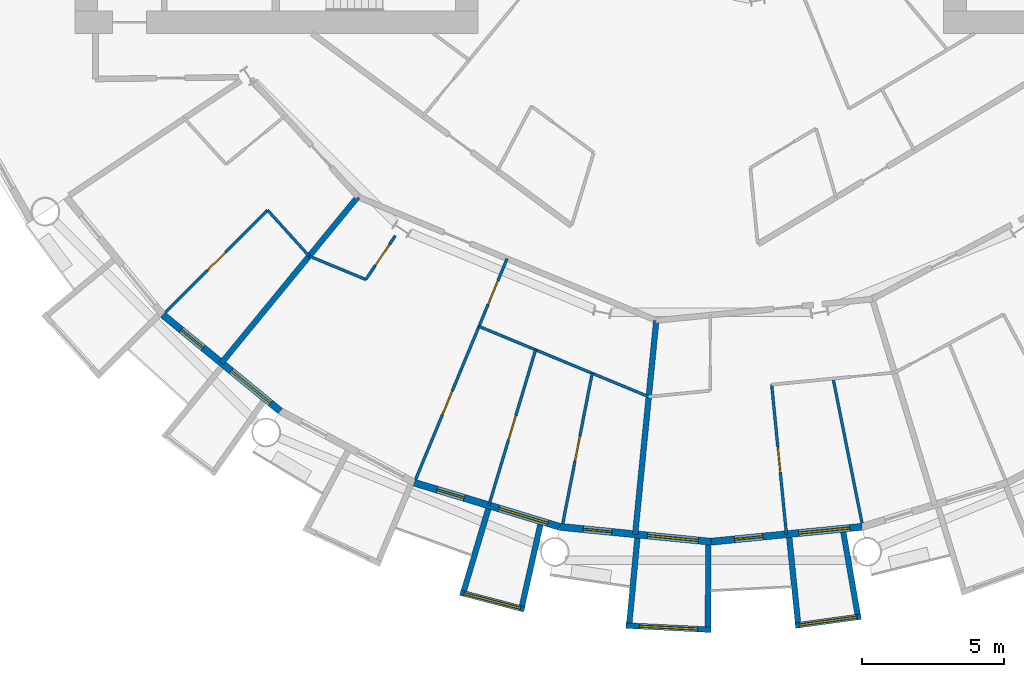
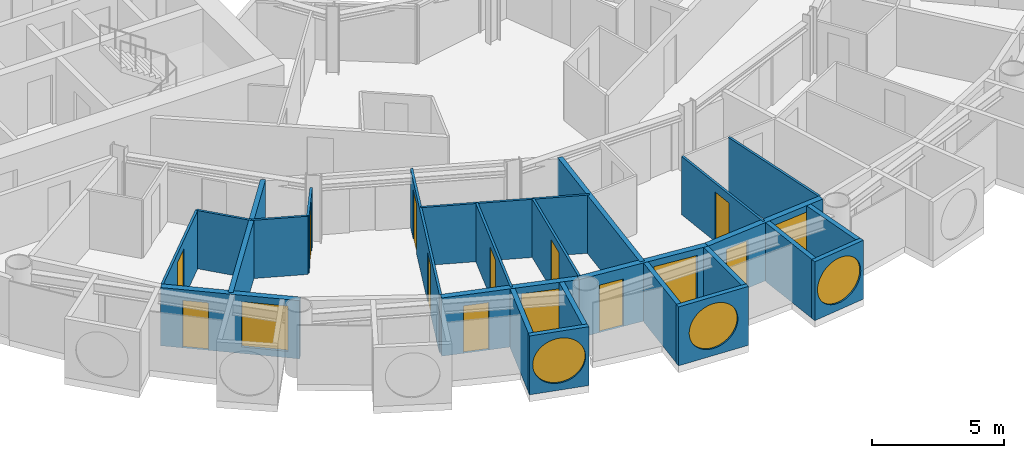
# One storey, part 13 of 26: 25 walls, 11 doors, 7 windows, 18 openings.
"""IFC4 building model written with IfcOpenShell, lengths in metres."""

from ifc_helpers import new_model, si_unit, direction, frame, frame_2d, origin, place, context, subcontext, project, spatial, rectangle, circle, extrude, material, layer, layer_set, type_object, element, fill, save


model = new_model("IFC4")

# Units and contexts
model_context = context("Model", 3, precision=1e-05, world=origin(), true_north=direction((0.0, 1.0)))
body_context = subcontext(model_context, "Body", "Model", "MODEL_VIEW")
ifc_project = project(units=[si_unit("LENGTHUNIT", "METRE"), si_unit("AREAUNIT", "SQUARE_METRE"), si_unit("VOLUMEUNIT", "CUBIC_METRE"), si_unit("PLANEANGLEUNIT", "RADIAN"), si_unit("MASSUNIT", "GRAM", prefix="KILO")], contexts=[model_context])

# Site, building, storey
site_placement = place(None, origin())
site = spatial("IfcSite", under=ifc_project, at=site_placement, CompositionType="ELEMENT")
building_placement = place(site_placement, origin())
building = spatial("IfcBuilding", under=site, at=building_placement, Name="Maasbend Ring Residences", CompositionType="ELEMENT")
storey_placement = place(building_placement, frame((0.0, 0.0, 50.25)))
storey = spatial("IfcBuildingStorey", under=building, at=storey_placement, Name="L14", CompositionType="ELEMENT", Elevation=50.25)

# Wall, opening, window
ifc_material_1 = material(Name="Pale anodised aluminium panel", Category="aluminium")
ifc_layer_1 = layer(ifc_material_1, 0.199951171875)
ifc_layer_set_1 = layer_set([ifc_layer_1], Name="EW-BOX")
wall_type_1 = type_object("IfcWallType", Name="EW-BOX", PredefinedType="SOLIDWALL", material=ifc_layer_set_1)
wall_1_placement = place(storey_placement, frame((-8.827880859375, -29.090087890625, -0.030029296875), z_axis=(0.0, 0.0, 1.0), x_axis=(0.967377102346, -0.253340762326, 0.0)))
wall_1 = element("IfcWall", 1, at=wall_1_placement, inside=storey, type_object=wall_type_1, Name="Box front S08", PredefinedType="SOLIDWALL", context=body_context, shape_type="SweptSolid", body=[
    extrude(rectangle(XDim=2.3359375, YDim=0.199951171875, at=frame_2d((1.16796875, 0.0))), origin(), (0.0, 0.0, 1.0), 2.72998046875),
])
opening_1_placement = place(wall_1_placement, frame((0.128173828125, 0.0, 0.330078125)))
opening_1 = element("IfcOpeningElement", 2, at=opening_1_placement, cuts=wall_1, Name="Opening W-RD", PredefinedType="OPENING", context=body_context, shape_type="SweptSolid", body=[
    extrude(circle(Radius=1.0400390625, at=frame_2d((1.0400390625, 1.0400390625))), frame((0.0, 0.10986328125, 0.0), z_axis=(0.0, -1.0, 0.0), x_axis=(1.0, 0.0, 0.0)), (0.0, 0.0, 1.0), 0.219970703125),
])
ifc_material_2 = material(Name="Aluminium and clear glass", Category="aluminium")
window_type_1 = type_object("IfcWindowType", Name="W-RD", PartitioningType="SINGLE_PANEL", PredefinedType="WINDOW", material=ifc_material_2)
window_1_placement = place(opening_1_placement, origin())
window_1 = element("IfcWindow", 3, at=window_1_placement, inside=storey, type_object=window_type_1, Name="Round window S08", OverallHeight=2.080078125, OverallWidth=2.080078125, PartitioningType="SINGLE_PANEL", PredefinedType="WINDOW", context=body_context, shape_type="SweptSolid", body=[
    extrude(circle(Radius=1.0400390625, at=frame_2d((1.0400390625, 1.0400390625))), frame((0.0, 0.030029296875, 0.0), z_axis=(0.0, -1.0, 0.0), x_axis=(1.0, 0.0, 0.0)), (0.0, 0.0, 1.0), 0.06005859375),
])
fill(opening_1, window_1)

# Walls
wall_2_placement = place(storey_placement, frame((-7.8369140625, -26.14404296875, -0.030029296875), z_axis=(0.0, 0.0, 1.0), x_axis=(-0.287064767992, -0.957911174889, 0.0)))
element("IfcWall", 4, at=wall_2_placement, inside=storey, type_object=wall_type_1, Name="Box side wall S08 left", PredefinedType="SOLIDWALL", context=body_context, shape_type="SweptSolid", body=[
    extrude(rectangle(XDim=3.00634765625, YDim=0.199951171875, at=frame_2d((1.503173828125, 0.0))), origin(), (0.0, 0.0, 1.0), 2.72998046875),
])
wall_3_placement = place(storey_placement, frame((-6.00390625, -26.699951171875, -0.030029296875), z_axis=(0.0, 0.0, 1.0), x_axis=(-0.219609259383, -0.975587911566, 0.0)))
element("IfcWall", 5, at=wall_3_placement, inside=storey, type_object=wall_type_1, Name="Box side wall S08 right", PredefinedType="SOLIDWALL", context=body_context, shape_type="SweptSolid", body=[
    extrude(rectangle(XDim=2.9326171875, YDim=0.199951171875, at=frame_2d((1.46630859375, 0.0))), origin(), (0.0, 0.0, 1.0), 2.72998046875),
])

# Wall, opening, window
wall_4_placement = place(storey_placement, frame((-2.985107421875, -30.2529296875, -0.030029296875), z_axis=(0.0, 0.0, 1.0), x_axis=(0.998794083011, -0.049095618353, 0.0)))
wall_4 = element("IfcWall", 6, at=wall_4_placement, inside=storey, type_object=wall_type_1, Name="Box front S10", PredefinedType="SOLIDWALL", context=body_context, shape_type="SweptSolid", body=[
    extrude(rectangle(XDim=2.99365234375, YDim=0.199951171875, at=frame_2d((1.496826171875, 0.0))), origin(), (0.0, 0.0, 1.0), 2.72998046875),
])
opening_2_placement = place(wall_4_placement, frame((0.45654296875, 0.0, 0.330078125)))
opening_2 = element("IfcOpeningElement", 7, at=opening_2_placement, cuts=wall_4, Name="Opening W-RD", PredefinedType="OPENING", context=body_context, shape_type="SweptSolid", body=[
    extrude(circle(Radius=1.0400390625, at=frame_2d((1.0400390625, 1.0400390625))), frame((0.0, 0.10986328125, 0.0), z_axis=(0.0, -1.0, 0.0), x_axis=(1.0, 0.0, 0.0)), (0.0, 0.0, 1.0), 0.219970703125),
])
window_2_placement = place(opening_2_placement, origin())
window_2 = element("IfcWindow", 8, at=window_2_placement, inside=storey, type_object=window_type_1, Name="Round window S10", OverallHeight=2.080078125, OverallWidth=2.080078125, PartitioningType="SINGLE_PANEL", PredefinedType="WINDOW", context=body_context, shape_type="SweptSolid", body=[
    extrude(circle(Radius=1.0400390625, at=frame_2d((1.0400390625, 1.0400390625))), frame((0.0, 0.030029296875, 0.0), z_axis=(0.0, -1.0, 0.0), x_axis=(1.0, 0.0, 0.0)), (0.0, 0.0, 1.0), 0.06005859375),
])
fill(opening_2, window_2)

# Walls
wall_5_placement = place(storey_placement, frame((-2.5859375, -27.1708984375, -0.030029296875), z_axis=(0.0, 0.0, 1.0), x_axis=(-0.094548432284, -0.995520262954, 0.0)))
element("IfcWall", 9, at=wall_5_placement, inside=storey, type_object=wall_type_1, Name="Box side wall S10 left", PredefinedType="SOLIDWALL", context=body_context, shape_type="SweptSolid", body=[
    extrude(rectangle(XDim=3.005615234375, YDim=0.199951171875, at=frame_2d((1.5029296875, 0.0))), origin(), (0.0, 0.0, 1.0), 2.72998046875),
])
wall_6_placement = place(storey_placement, frame((-0.090087890625, -27.4169921875, -0.030029296875), z_axis=(0.0, 0.0, 1.0), x_axis=(-0.00347308367, -0.999993968827, 0.0)))
element("IfcWall", 10, at=wall_6_placement, inside=storey, type_object=wall_type_1, Name="Box side wall S10 right", PredefinedType="SOLIDWALL", context=body_context, shape_type="SweptSolid", body=[
    extrude(rectangle(XDim=2.882080078125, YDim=0.199951171875, at=frame_2d((1.44091796875, 0.0))), origin(), (0.0, 0.0, 1.0), 2.72998046875),
])

# Wall, opening, window
wall_7_placement = place(storey_placement, frame((2.97607421875, -30.25390625, -0.030029296875), z_axis=(0.0, 0.0, 1.0), x_axis=(0.990696111261, 0.136092671119, 0.0)))
wall_7 = element("IfcWall", 11, at=wall_7_placement, inside=storey, type_object=wall_type_1, Name="Box front S12", PredefinedType="SOLIDWALL", context=body_context, shape_type="SweptSolid", body=[
    extrude(rectangle(XDim=2.335693359375, YDim=0.199951171875, at=frame_2d((1.16796875, 0.0))), origin(), (0.0, 0.0, 1.0), 2.72998046875),
])
opening_3_placement = place(wall_7_placement, frame((0.128173828125, 0.0, 0.330078125)))
opening_3 = element("IfcOpeningElement", 12, at=opening_3_placement, cuts=wall_7, Name="Opening W-RD", PredefinedType="OPENING", context=body_context, shape_type="SweptSolid", body=[
    extrude(circle(Radius=1.0400390625, at=frame_2d((1.0400390625, 1.0400390625))), frame((0.0, 0.10986328125, 0.0), z_axis=(0.0, -1.0, 0.0), x_axis=(1.0, 0.0, 0.0)), (0.0, 0.0, 1.0), 0.219970703125),
])
window_3_placement = place(opening_3_placement, origin())
window_3 = element("IfcWindow", 13, at=window_3_placement, inside=storey, type_object=window_type_1, Name="Round window S12", OverallHeight=2.080078125, OverallWidth=2.080078125, PartitioningType="SINGLE_PANEL", PredefinedType="WINDOW", context=body_context, shape_type="SweptSolid", body=[
    extrude(circle(Radius=1.0400390625, at=frame_2d((1.0400390625, 1.0400390625))), frame((0.0, 0.030029296875, 0.0), z_axis=(0.0, -1.0, 0.0), x_axis=(1.0, 0.0, 0.0)), (0.0, 0.0, 1.0), 0.06005859375),
])
fill(opening_3, window_3)

# Walls
wall_8_placement = place(storey_placement, frame((2.763916015625, -27.153076171875, -0.030029296875), z_axis=(0.0, 0.0, 1.0), x_axis=(0.101505487237, -0.994834979311, 0.0)))
element("IfcWall", 14, at=wall_8_placement, inside=storey, type_object=wall_type_1, Name="Box side wall S12 left", PredefinedType="SOLIDWALL", context=body_context, shape_type="SweptSolid", body=[
    extrude(rectangle(XDim=3.006591796875, YDim=0.199951171875, at=frame_2d((1.50341796875, 0.0))), origin(), (0.0, 0.0, 1.0), 2.72998046875),
])
wall_9_placement = place(storey_placement, frame((4.6708984375, -26.966064453125, -0.030029296875), z_axis=(0.0, 0.0, 1.0), x_axis=(0.170539878907, -0.985350774954, 0.0)))
element("IfcWall", 15, at=wall_9_placement, inside=storey, type_object=wall_type_1, Name="Box side wall S12 right", PredefinedType="SOLIDWALL", context=body_context, shape_type="SweptSolid", body=[
    extrude(rectangle(XDim=2.931884765625, YDim=0.199951171875, at=frame_2d((1.4658203125, 0.0))), origin(), (0.0, 0.0, 1.0), 2.72998046875),
])

# Wall, openings, door, window
ifc_material_3 = material(Name="Aluminium clad insulated panel", Category="aluminium")
ifc_layer_2 = layer(ifc_material_3, 0.25)
ifc_layer_set_2 = layer_set([ifc_layer_2], Name="EW-GL")
wall_type_2 = type_object("IfcWallType", Name="EW-GL", PredefinedType="SOLIDWALL", material=ifc_layer_set_2)
wall_10_placement = place(storey_placement, frame((-19.303955078125, -19.303955078125, 0.0), z_axis=(0.0, 0.0, 1.0), x_axis=(0.773019449054, -0.634382322723, 0.0)))
wall_10 = element("IfcWall", 16, at=wall_10_placement, inside=storey, type_object=wall_type_2, Name="External wall S02", PredefinedType="SOLIDWALL", context=body_context, shape_type="SweptSolid", body=[
    extrude(rectangle(XDim=5.351806640625, YDim=0.25, at=frame_2d((2.67578125, 0.0))), origin(), (0.0, 0.0, 1.0), 2.699951171875),
])
opening_4_placement = place(wall_10_placement, frame((0.841064453125, 0.0, 0.0)))
opening_4 = element("IfcOpeningElement", 17, at=opening_4_placement, cuts=wall_10, Name="Opening D-LG", PredefinedType="OPENING", context=body_context, shape_type="SweptSolid", body=[
    extrude(rectangle(XDim=1.0, YDim=2.199951171875, at=frame_2d((0.5, 1.10009765625))), frame((0.0, 0.135009765625, 0.0), z_axis=(0.0, -1.0, 0.0), x_axis=(1.0, 0.0, 0.0)), (0.0, 0.0, 1.0), 0.27001953125),
])
opening_5_placement = place(wall_10_placement, frame((3.110595703125, 0.0, 0.300048828125)))
opening_5 = element("IfcOpeningElement", 18, at=opening_5_placement, cuts=wall_10, Name="Opening W-BX", PredefinedType="OPENING", context=body_context, shape_type="SweptSolid", body=[
    extrude(rectangle(XDim=1.800048828125, YDim=2.10009765625, at=frame_2d((0.89990234375, 1.050048828125))), frame((0.0, 0.135009765625, 0.0), z_axis=(0.0, -1.0, 0.0), x_axis=(1.0, 0.0, 0.0)), (0.0, 0.0, 1.0), 0.27001953125),
])
ifc_material_4 = material(Name="Aluminium and clear glass", Category="aluminium")
door_type_1 = type_object("IfcDoorType", Name="D-LG", OperationType="SINGLE_SWING_LEFT", PredefinedType="DOOR", material=ifc_material_4)
door_1_placement = place(opening_4_placement, origin())
door_1 = element("IfcDoor", 19, at=door_1_placement, inside=storey, type_object=door_type_1, Name="Loggia door S03", OperationType="SINGLE_SWING_LEFT", OverallHeight=2.199951171875, OverallWidth=1.0, PredefinedType="DOOR", context=body_context, shape_type="SweptSolid", body=[
    extrude(rectangle(XDim=1.0, YDim=2.199951171875, at=frame_2d((0.5, 1.10009765625))), frame((0.0, 0.02490234375, 0.0), z_axis=(0.0, -1.0, 0.0), x_axis=(1.0, 0.0, 0.0)), (0.0, 0.0, 1.0), 0.050048828125),
])
fill(opening_4, door_1)
ifc_material_5 = material(Name="Aluminium and clear glass", Category="aluminium")
window_type_2 = type_object("IfcWindowType", Name="W-BX", PartitioningType="DOUBLE_PANEL_VERTICAL", PredefinedType="WINDOW", material=ifc_material_5)
window_4_placement = place(opening_5_placement, origin())
window_4 = element("IfcWindow", 20, at=window_4_placement, inside=storey, type_object=window_type_2, Name="Window S04 room to box", OverallHeight=2.10009765625, OverallWidth=1.800048828125, PartitioningType="SINGLE_PANEL", PredefinedType="WINDOW", context=body_context, shape_type="SweptSolid", body=[
    extrude(rectangle(XDim=1.800048828125, YDim=2.10009765625, at=frame_2d((0.89990234375, 1.050048828125))), frame((0.0, 0.030029296875, 0.0), z_axis=(0.0, -1.0, 0.0), x_axis=(1.0, 0.0, 0.0)), (0.0, 0.0, 1.0), 0.06005859375),
])
fill(opening_5, window_4)

wall_11_placement = place(storey_placement, frame((-10.447021484375, -25.221923828125, 0.0), z_axis=(0.0, 0.0, 1.0), x_axis=(0.956965678721, -0.290201119486, 0.0)))
wall_11 = element("IfcWall", 21, at=wall_11_placement, inside=storey, type_object=wall_type_2, Name="External wall S04", PredefinedType="SOLIDWALL", context=body_context, shape_type="SweptSolid", body=[
    extrude(rectangle(XDim=5.351318359375, YDim=0.25, at=frame_2d((2.67578125, 0.0))), origin(), (0.0, 0.0, 1.0), 2.699951171875),
])
opening_6_placement = place(wall_11_placement, frame((0.841064453125, 0.0, 0.0)))
opening_6 = element("IfcOpeningElement", 22, at=opening_6_placement, cuts=wall_11, Name="Opening D-LG", PredefinedType="OPENING", context=body_context, shape_type="SweptSolid", body=[
    extrude(rectangle(XDim=1.0, YDim=2.199951171875, at=frame_2d((0.5, 1.10009765625))), frame((0.0, 0.135009765625, 0.0), z_axis=(0.0, -1.0, 0.0), x_axis=(1.0, 0.0, 0.0)), (0.0, 0.0, 1.0), 0.27001953125),
])
opening_7_placement = place(wall_11_placement, frame((3.110595703125, 0.0, 0.300048828125)))
opening_7 = element("IfcOpeningElement", 23, at=opening_7_placement, cuts=wall_11, Name="Opening W-BX", PredefinedType="OPENING", context=body_context, shape_type="SweptSolid", body=[
    extrude(rectangle(XDim=1.800048828125, YDim=2.10009765625, at=frame_2d((0.89990234375, 1.050048828125))), frame((0.0, 0.135009765625, 0.0), z_axis=(0.0, -1.0, 0.0), x_axis=(1.0, 0.0, 0.0)), (0.0, 0.0, 1.0), 0.27001953125),
])
door_2_placement = place(opening_6_placement, origin())
door_2 = element("IfcDoor", 24, at=door_2_placement, inside=storey, type_object=door_type_1, Name="Loggia door S07", OperationType="SINGLE_SWING_LEFT", OverallHeight=2.199951171875, OverallWidth=1.0, PredefinedType="DOOR", context=body_context, shape_type="SweptSolid", body=[
    extrude(rectangle(XDim=1.0, YDim=2.199951171875, at=frame_2d((0.5, 1.10009765625))), frame((0.0, 0.02490234375, 0.0), z_axis=(0.0, -1.0, 0.0), x_axis=(1.0, 0.0, 0.0)), (0.0, 0.0, 1.0), 0.050048828125),
])
fill(opening_6, door_2)
window_5_placement = place(opening_7_placement, origin())
window_5 = element("IfcWindow", 25, at=window_5_placement, inside=storey, type_object=window_type_2, Name="Window S08 room to box", OverallHeight=2.10009765625, OverallWidth=1.800048828125, PartitioningType="SINGLE_PANEL", PredefinedType="WINDOW", context=body_context, shape_type="SweptSolid", body=[
    extrude(rectangle(XDim=1.800048828125, YDim=2.10009765625, at=frame_2d((0.89990234375, 1.050048828125))), frame((0.0, 0.030029296875, 0.0), z_axis=(0.0, -1.0, 0.0), x_axis=(1.0, 0.0, 0.0)), (0.0, 0.0, 1.0), 0.06005859375),
])
fill(opening_7, window_5)

wall_12_placement = place(storey_placement, frame((-5.325927734375, -26.77490234375, 0.0), z_axis=(0.0, 0.0, 1.0), x_axis=(0.995173996315, -0.098126026407, 0.0)))
wall_12 = element("IfcWall", 26, at=wall_12_placement, inside=storey, type_object=wall_type_2, Name="External wall S05", PredefinedType="SOLIDWALL", context=body_context, shape_type="SweptSolid", body=[
    extrude(rectangle(XDim=5.351806640625, YDim=0.25, at=frame_2d((2.67578125, 0.0))), origin(), (0.0, 0.0, 1.0), 2.699951171875),
])
opening_8_placement = place(wall_12_placement, frame((0.841064453125, 0.0, 0.0)))
opening_8 = element("IfcOpeningElement", 27, at=opening_8_placement, cuts=wall_12, Name="Opening D-LG", PredefinedType="OPENING", context=body_context, shape_type="SweptSolid", body=[
    extrude(rectangle(XDim=1.0, YDim=2.199951171875, at=frame_2d((0.5, 1.10009765625))), frame((0.0, 0.135009765625, 0.0), z_axis=(0.0, -1.0, 0.0), x_axis=(1.0, 0.0, 0.0)), (0.0, 0.0, 1.0), 0.27001953125),
])
opening_9_placement = place(wall_12_placement, frame((3.110595703125, 0.0, 0.300048828125)))
opening_9 = element("IfcOpeningElement", 28, at=opening_9_placement, cuts=wall_12, Name="Opening W-BX", PredefinedType="OPENING", context=body_context, shape_type="SweptSolid", body=[
    extrude(rectangle(XDim=1.800048828125, YDim=2.10009765625, at=frame_2d((0.89990234375, 1.050048828125))), frame((0.0, 0.135009765625, 0.0), z_axis=(0.0, -1.0, 0.0), x_axis=(1.0, 0.0, 0.0)), (0.0, 0.0, 1.0), 0.27001953125),
])
door_3_placement = place(opening_8_placement, origin())
door_3 = element("IfcDoor", 29, at=door_3_placement, inside=storey, type_object=door_type_1, Name="Loggia door S09", OperationType="SINGLE_SWING_LEFT", OverallHeight=2.199951171875, OverallWidth=1.0, PredefinedType="DOOR", context=body_context, shape_type="SweptSolid", body=[
    extrude(rectangle(XDim=1.0, YDim=2.199951171875, at=frame_2d((0.5, 1.10009765625))), frame((0.0, 0.02490234375, 0.0), z_axis=(0.0, -1.0, 0.0), x_axis=(1.0, 0.0, 0.0)), (0.0, 0.0, 1.0), 0.050048828125),
])
fill(opening_8, door_3)
window_6_placement = place(opening_9_placement, origin())
window_6 = element("IfcWindow", 30, at=window_6_placement, inside=storey, type_object=window_type_2, Name="Window S10 room to box", OverallHeight=2.10009765625, OverallWidth=1.800048828125, PartitioningType="SINGLE_PANEL", PredefinedType="WINDOW", context=body_context, shape_type="SweptSolid", body=[
    extrude(rectangle(XDim=1.800048828125, YDim=2.10009765625, at=frame_2d((0.89990234375, 1.050048828125))), frame((0.0, 0.030029296875, 0.0), z_axis=(0.0, -1.0, 0.0), x_axis=(1.0, 0.0, 0.0)), (0.0, 0.0, 1.0), 0.06005859375),
])
fill(opening_9, window_6)

wall_13_placement = place(storey_placement, frame((0.0, -27.300048828125, 0.0), z_axis=(0.0, 0.0, 1.0), x_axis=(0.995173996315, 0.098126026407, 0.0)))
wall_13 = element("IfcWall", 31, at=wall_13_placement, inside=storey, type_object=wall_type_2, Name="External wall S06", PredefinedType="SOLIDWALL", context=body_context, shape_type="SweptSolid", body=[
    extrude(rectangle(XDim=5.351806640625, YDim=0.25, at=frame_2d((2.67578125, 0.0))), origin(), (0.0, 0.0, 1.0), 2.699951171875),
])
opening_10_placement = place(wall_13_placement, frame((0.841064453125, 0.0, 0.0)))
opening_10 = element("IfcOpeningElement", 32, at=opening_10_placement, cuts=wall_13, Name="Opening D-LG", PredefinedType="OPENING", context=body_context, shape_type="SweptSolid", body=[
    extrude(rectangle(XDim=1.0, YDim=2.199951171875, at=frame_2d((0.5, 1.10009765625))), frame((0.0, 0.135009765625, 0.0), z_axis=(0.0, -1.0, 0.0), x_axis=(1.0, 0.0, 0.0)), (0.0, 0.0, 1.0), 0.27001953125),
])
opening_11_placement = place(wall_13_placement, frame((3.110595703125, 0.0, 0.300048828125)))
opening_11 = element("IfcOpeningElement", 33, at=opening_11_placement, cuts=wall_13, Name="Opening W-BX", PredefinedType="OPENING", context=body_context, shape_type="SweptSolid", body=[
    extrude(rectangle(XDim=1.800048828125, YDim=2.10009765625, at=frame_2d((0.89990234375, 1.050048828125))), frame((0.0, 0.135009765625, 0.0), z_axis=(0.0, -1.0, 0.0), x_axis=(1.0, 0.0, 0.0)), (0.0, 0.0, 1.0), 0.27001953125),
])
door_4_placement = place(opening_10_placement, origin())
door_4 = element("IfcDoor", 34, at=door_4_placement, inside=storey, type_object=door_type_1, Name="Loggia door S11", OperationType="SINGLE_SWING_LEFT", OverallHeight=2.199951171875, OverallWidth=1.0, PredefinedType="DOOR", context=body_context, shape_type="SweptSolid", body=[
    extrude(rectangle(XDim=1.0, YDim=2.199951171875, at=frame_2d((0.5, 1.10009765625))), frame((0.0, 0.02490234375, 0.0), z_axis=(0.0, -1.0, 0.0), x_axis=(1.0, 0.0, 0.0)), (0.0, 0.0, 1.0), 0.050048828125),
])
fill(opening_10, door_4)
window_7_placement = place(opening_11_placement, origin())
window_7 = element("IfcWindow", 35, at=window_7_placement, inside=storey, type_object=window_type_2, Name="Window S12 room to box", OverallHeight=2.10009765625, OverallWidth=1.800048828125, PartitioningType="SINGLE_PANEL", PredefinedType="WINDOW", context=body_context, shape_type="SweptSolid", body=[
    extrude(rectangle(XDim=1.800048828125, YDim=2.10009765625, at=frame_2d((0.89990234375, 1.050048828125))), frame((0.0, 0.030029296875, 0.0), z_axis=(0.0, -1.0, 0.0), x_axis=(1.0, 0.0, 0.0)), (0.0, 0.0, 1.0), 0.06005859375),
])
fill(opening_11, window_7)

# Walls
ifc_material_6 = material(Name="Gypsum board on steel studs", Category="steel")
ifc_layer_3 = layer(ifc_material_6, 0.10009765625)
ifc_layer_set_3 = layer_set([ifc_layer_3], Name="PARTITION 100 GYPSUM")
wall_type_3 = type_object("IfcWallType", Name="PARTITION 100 GYPSUM", PredefinedType="PARTITIONING", material=ifc_layer_set_3)
wall_14_placement = place(storey_placement, frame((-15.616943359375, -15.616943359375, 0.0), z_axis=(0.0, 0.0, 1.0), x_axis=(0.671144831591, -0.741326254107, 0.0)))
element("IfcWall", 36, at=wall_14_placement, inside=storey, type_object=wall_type_3, Name="U-L14-w002", PredefinedType="PARTITIONING", context=body_context, shape_type="SweptSolid", body=[
    extrude(rectangle(XDim=2.18115234375, YDim=0.10009765625, at=frame_2d((1.090576171875, 0.0))), origin(), (0.0, 0.0, 1.0), 2.699951171875),
])
wall_15_placement = place(storey_placement, frame((-14.14697265625, -17.238037109375, 0.0), z_axis=(0.0, 0.0, 1.0), x_axis=(0.923874819588, -0.382694810171, 0.0)))
element("IfcWall", 37, at=wall_15_placement, inside=storey, type_object=wall_type_3, Name="U-L14-w011", PredefinedType="PARTITIONING", context=body_context, shape_type="SweptSolid", body=[
    extrude(rectangle(XDim=2.158203125, YDim=0.10009765625, at=frame_2d((1.0791015625, 0.0))), origin(), (0.0, 0.0, 1.0), 2.699951171875),
])
wall_16_placement = place(storey_placement, frame((-8.1640625, -19.716064453125, 0.0), z_axis=(0.0, 0.0, 1.0), x_axis=(0.92387253274, -0.38270033087, 0.0)))
element("IfcWall", 38, at=wall_16_placement, inside=storey, type_object=wall_type_3, Name="U-L14-w012", PredefinedType="PARTITIONING", context=body_context, shape_type="SweptSolid", body=[
    extrude(rectangle(XDim=6.47509765625, YDim=0.10009765625, at=frame_2d((3.237548828125, 0.0))), origin(), (0.0, 0.0, 1.0), 2.699951171875),
])

# Wall, opening, door
wall_17_placement = place(storey_placement, frame((-19.2099609375, -19.221923828125, 0.0), z_axis=(0.0, 0.0, 1.0), x_axis=(0.706914880313, 0.707298629994, 0.0)))
wall_17 = element("IfcWall", 39, at=wall_17_placement, inside=storey, type_object=wall_type_3, Name="U-L14-w035", PredefinedType="PARTITIONING", context=body_context, shape_type="SweptSolid", body=[
    extrude(rectangle(XDim=5.089599609375, YDim=0.10009765625, at=frame_2d((2.544921875, 0.0))), origin(), (0.0, 0.0, 1.0), 2.699951171875),
])
opening_12_placement = place(wall_17_placement, frame((2.094970703125, 0.0, 0.0)))
opening_12 = element("IfcOpeningElement", 40, at=opening_12_placement, cuts=wall_17, Name="Opening D-1432", PredefinedType="OPENING", context=body_context, shape_type="SweptSolid", body=[
    extrude(rectangle(XDim=0.89990234375, YDim=2.300048828125, at=frame_2d((0.449951171875, 1.14990234375))), frame((0.0, 0.06005859375, 0.0), z_axis=(0.0, -1.0, 0.0), x_axis=(1.0, 0.0, 0.0)), (0.0, 0.0, 1.0), 0.1201171875),
])
ifc_material_7 = material(Name="Timber, painted", Category="wood")
door_type_2 = type_object("IfcDoorType", Name="INTERNAL DOOR 900 X 2300", OperationType="NOTDEFINED", PredefinedType="DOOR", material=ifc_material_7)
door_5_placement = place(opening_12_placement, origin())
door_5 = element("IfcDoor", 41, at=door_5_placement, inside=storey, type_object=door_type_2, Name="D-1432", OperationType="SINGLE_SWING_RIGHT", OverallHeight=2.300048828125, OverallWidth=0.89990234375, PredefinedType="DOOR", context=body_context, shape_type="SweptSolid", body=[
    extrude(rectangle(XDim=0.89990234375, YDim=2.300048828125, at=frame_2d((0.449951171875, 1.14990234375))), frame((0.0, 0.02490234375, 0.0), z_axis=(0.0, -1.0, 0.0), x_axis=(1.0, 0.0, 0.0)), (0.0, 0.0, 1.0), 0.050048828125),
])
fill(opening_12, door_5)

wall_18_placement = place(storey_placement, frame((-12.153076171875, -18.06396484375, 0.0), z_axis=(0.0, 0.0, 1.0), x_axis=(0.558084773293, 0.829783939239, 0.0)))
wall_18 = element("IfcWall", 42, at=wall_18_placement, inside=storey, type_object=wall_type_3, Name="U-L14-w040", PredefinedType="PARTITIONING", context=body_context, shape_type="SweptSolid", body=[
    extrude(rectangle(XDim=1.86181640625, YDim=0.10009765625, at=frame_2d((0.930908203125, 0.0))), origin(), (0.0, 0.0, 1.0), 2.699951171875),
])
opening_13_placement = place(wall_18_placement, frame((0.60009765625, 0.0, 0.0)))
opening_13 = element("IfcOpeningElement", 43, at=opening_13_placement, cuts=wall_18, Name="Opening D-1434", PredefinedType="OPENING", context=body_context, shape_type="SweptSolid", body=[
    extrude(rectangle(XDim=0.89990234375, YDim=2.300048828125, at=frame_2d((0.449951171875, 1.14990234375))), frame((0.0, 0.06005859375, 0.0), z_axis=(0.0, -1.0, 0.0), x_axis=(1.0, 0.0, 0.0)), (0.0, 0.0, 1.0), 0.1201171875),
])
door_6_placement = place(opening_13_placement, origin())
door_6 = element("IfcDoor", 44, at=door_6_placement, inside=storey, type_object=door_type_2, Name="D-1434", OperationType="SINGLE_SWING_RIGHT", OverallHeight=2.300048828125, OverallWidth=0.89990234375, PredefinedType="DOOR", context=body_context, shape_type="SweptSolid", body=[
    extrude(rectangle(XDim=0.89990234375, YDim=2.300048828125, at=frame_2d((0.449951171875, 1.14990234375))), frame((0.0, 0.02490234375, 0.0), z_axis=(0.0, -1.0, 0.0), x_axis=(1.0, 0.0, 0.0)), (0.0, 0.0, 1.0), 0.050048828125),
])
fill(opening_13, door_6)

# Wall, openings, doors
wall_19_placement = place(storey_placement, frame((-10.39892578125, -25.10595703125, 0.0), z_axis=(0.0, 0.0, 1.0), x_axis=(0.382697543868, 0.923873687209, 0.0)))
wall_19 = element("IfcWall", 45, at=wall_19_placement, inside=storey, type_object=wall_type_3, Name="U-L14-w042", PredefinedType="PARTITIONING", context=body_context, shape_type="SweptSolid", body=[
    extrude(rectangle(XDim=8.4189453125, YDim=0.10009765625, at=frame_2d((4.20947265625, 0.0))), origin(), (0.0, 0.0, 1.0), 2.699951171875),
])
opening_14_placement = place(wall_19_placement, frame((6.677001953125, 0.0, 0.0)))
opening_14 = element("IfcOpeningElement", 46, at=opening_14_placement, cuts=wall_19, Name="Opening D-1435", PredefinedType="OPENING", context=body_context, shape_type="SweptSolid", body=[
    extrude(rectangle(XDim=0.89990234375, YDim=2.300048828125, at=frame_2d((0.449951171875, 1.14990234375))), frame((0.0, 0.06005859375, 0.0), z_axis=(0.0, -1.0, 0.0), x_axis=(1.0, 0.0, 0.0)), (0.0, 0.0, 1.0), 0.1201171875),
])
opening_15_placement = place(wall_19_placement, frame((2.468017578125, 0.0, 0.0)))
opening_15 = element("IfcOpeningElement", 47, at=opening_15_placement, cuts=wall_19, Name="Opening D-1436", PredefinedType="OPENING", context=body_context, shape_type="SweptSolid", body=[
    extrude(rectangle(XDim=0.89990234375, YDim=2.300048828125, at=frame_2d((0.449951171875, 1.14990234375))), frame((0.0, 0.06005859375, 0.0), z_axis=(0.0, -1.0, 0.0), x_axis=(1.0, 0.0, 0.0)), (0.0, 0.0, 1.0), 0.1201171875),
])
door_7_placement = place(opening_14_placement, origin())
door_7 = element("IfcDoor", 48, at=door_7_placement, inside=storey, type_object=door_type_2, Name="D-1435", OperationType="SINGLE_SWING_RIGHT", OverallHeight=2.300048828125, OverallWidth=0.89990234375, PredefinedType="DOOR", context=body_context, shape_type="SweptSolid", body=[
    extrude(rectangle(XDim=0.89990234375, YDim=2.300048828125, at=frame_2d((0.449951171875, 1.14990234375))), frame((0.0, 0.02490234375, 0.0), z_axis=(0.0, -1.0, 0.0), x_axis=(1.0, 0.0, 0.0)), (0.0, 0.0, 1.0), 0.050048828125),
])
fill(opening_14, door_7)
door_8_placement = place(opening_15_placement, origin())
door_8 = element("IfcDoor", 49, at=door_8_placement, inside=storey, type_object=door_type_2, Name="D-1436", OperationType="SINGLE_SWING_LEFT", OverallHeight=2.300048828125, OverallWidth=0.89990234375, PredefinedType="DOOR", context=body_context, shape_type="SweptSolid", body=[
    extrude(rectangle(XDim=0.89990234375, YDim=2.300048828125, at=frame_2d((0.449951171875, 1.14990234375))), frame((0.0, 0.02490234375, 0.0), z_axis=(0.0, -1.0, 0.0), x_axis=(1.0, 0.0, 0.0)), (0.0, 0.0, 1.0), 0.050048828125),
])
fill(opening_15, door_8)

# Wall, opening, door
wall_20_placement = place(storey_placement, frame((-7.821044921875, -26.02490234375, 0.0), z_axis=(0.0, 0.0, 1.0), x_axis=(0.287793773423, 0.957692405723, 0.0)))
wall_20 = element("IfcWall", 50, at=wall_20_placement, inside=storey, type_object=wall_type_3, Name="U-L14-w045", PredefinedType="PARTITIONING", context=body_context, shape_type="SweptSolid", body=[
    extrude(rectangle(XDim=5.72607421875, YDim=0.10009765625, at=frame_2d((2.863037109375, 0.0))), origin(), (0.0, 0.0, 1.0), 2.699951171875),
])
opening_16_placement = place(wall_20_placement, frame((2.4130859375, 0.0, 0.0)))
opening_16 = element("IfcOpeningElement", 51, at=opening_16_placement, cuts=wall_20, Name="Opening D-1437", PredefinedType="OPENING", context=body_context, shape_type="SweptSolid", body=[
    extrude(rectangle(XDim=0.89990234375, YDim=2.300048828125, at=frame_2d((0.449951171875, 1.14990234375))), frame((0.0, 0.06005859375, 0.0), z_axis=(0.0, -1.0, 0.0), x_axis=(1.0, 0.0, 0.0)), (0.0, 0.0, 1.0), 0.1201171875),
])
door_9_placement = place(opening_16_placement, origin())
door_9 = element("IfcDoor", 52, at=door_9_placement, inside=storey, type_object=door_type_2, Name="D-1437", OperationType="SINGLE_SWING_LEFT", OverallHeight=2.300048828125, OverallWidth=0.89990234375, PredefinedType="DOOR", context=body_context, shape_type="SweptSolid", body=[
    extrude(rectangle(XDim=0.89990234375, YDim=2.300048828125, at=frame_2d((0.449951171875, 1.14990234375))), frame((0.0, 0.02490234375, 0.0), z_axis=(0.0, -1.0, 0.0), x_axis=(1.0, 0.0, 0.0)), (0.0, 0.0, 1.0), 0.050048828125),
])
fill(opening_16, door_9)

wall_21_placement = place(storey_placement, frame((-5.217041015625, -26.669921875, 0.0), z_axis=(0.0, 0.0, 1.0), x_axis=(0.192109041462, 0.981373586453, 0.0)))
wall_21 = element("IfcWall", 53, at=wall_21_placement, inside=storey, type_object=wall_type_3, Name="U-L14-w049", PredefinedType="PARTITIONING", context=body_context, shape_type="SweptSolid", body=[
    extrude(rectangle(XDim=5.403564453125, YDim=0.10009765625, at=frame_2d((2.70166015625, 0.0))), origin(), (0.0, 0.0, 1.0), 2.699951171875),
])
opening_17_placement = place(wall_21_placement, frame((2.251953125, 0.0, 0.0)))
opening_17 = element("IfcOpeningElement", 54, at=opening_17_placement, cuts=wall_21, Name="Opening D-1438", PredefinedType="OPENING", context=body_context, shape_type="SweptSolid", body=[
    extrude(rectangle(XDim=0.89990234375, YDim=2.300048828125, at=frame_2d((0.449951171875, 1.14990234375))), frame((0.0, 0.06005859375, 0.0), z_axis=(0.0, -1.0, 0.0), x_axis=(1.0, 0.0, 0.0)), (0.0, 0.0, 1.0), 0.1201171875),
])
door_10_placement = place(opening_17_placement, origin())
door_10 = element("IfcDoor", 55, at=door_10_placement, inside=storey, type_object=door_type_2, Name="D-1438", OperationType="SINGLE_SWING_RIGHT", OverallHeight=2.300048828125, OverallWidth=0.89990234375, PredefinedType="DOOR", context=body_context, shape_type="SweptSolid", body=[
    extrude(rectangle(XDim=0.89990234375, YDim=2.300048828125, at=frame_2d((0.449951171875, 1.14990234375))), frame((0.0, 0.02490234375, 0.0), z_axis=(0.0, -1.0, 0.0), x_axis=(1.0, 0.0, 0.0)), (0.0, 0.0, 1.0), 0.050048828125),
])
fill(opening_17, door_10)

wall_22_placement = place(storey_placement, frame((2.14404296875, -21.76611328125, 0.0), z_axis=(0.0, 0.0, 1.0), x_axis=(0.098054199821, -0.995181075934, 0.0)))
wall_22 = element("IfcWall", 56, at=wall_22_placement, inside=storey, type_object=wall_type_3, Name="U-L14-w055", PredefinedType="PARTITIONING", context=body_context, shape_type="SweptSolid", body=[
    extrude(rectangle(XDim=5.303466796875, YDim=0.10009765625, at=frame_2d((2.65185546875, 0.0))), origin(), (0.0, 0.0, 1.0), 2.699951171875),
])
opening_18_placement = place(wall_22_placement, frame((2.201904296875, 0.0, 0.0)))
opening_18 = element("IfcOpeningElement", 57, at=opening_18_placement, cuts=wall_22, Name="Opening D-1441", PredefinedType="OPENING", context=body_context, shape_type="SweptSolid", body=[
    extrude(rectangle(XDim=0.89990234375, YDim=2.300048828125, at=frame_2d((0.449951171875, 1.14990234375))), frame((0.0, 0.06005859375, 0.0), z_axis=(0.0, -1.0, 0.0), x_axis=(1.0, 0.0, 0.0)), (0.0, 0.0, 1.0), 0.1201171875),
])
door_11_placement = place(opening_18_placement, origin())
door_11 = element("IfcDoor", 58, at=door_11_placement, inside=storey, type_object=door_type_2, Name="D-1441", OperationType="SINGLE_SWING_LEFT", OverallHeight=2.300048828125, OverallWidth=0.89990234375, PredefinedType="DOOR", context=body_context, shape_type="SweptSolid", body=[
    extrude(rectangle(XDim=0.89990234375, YDim=2.300048828125, at=frame_2d((0.449951171875, 1.14990234375))), frame((0.0, 0.02490234375, 0.0), z_axis=(0.0, -1.0, 0.0), x_axis=(1.0, 0.0, 0.0)), (0.0, 0.0, 1.0), 0.050048828125),
])
fill(opening_18, door_11)

# Walls
wall_23_placement = place(storey_placement, frame((4.30908203125, -21.552978515625, 0.0), z_axis=(0.0, 0.0, 1.0), x_axis=(0.195899255693, -0.980624026638, 0.0)))
element("IfcWall", 59, at=wall_23_placement, inside=storey, type_object=wall_type_3, Name="U-L14-w062", PredefinedType="PARTITIONING", context=body_context, shape_type="SweptSolid", body=[
    extrude(rectangle(XDim=5.195556640625, YDim=0.10009765625, at=frame_2d((2.59765625, 0.0))), origin(), (0.0, 0.0, 1.0), 2.699951171875),
])
ifc_material_8 = material(Name="Concrete C30/37", Category="concrete")
ifc_layer_4 = layer(ifc_material_8, 0.199951171875)
ifc_layer_set_4 = layer_set([ifc_layer_4], Name="Concrete C30/37")
wall_type_4 = type_object("IfcWallType", Name="PARTY WALL 200 CONCRETE", PredefinedType="PARTITIONING", material=ifc_layer_set_4)
wall_24_placement = place(storey_placement, frame((-17.240966796875, -21.006103515625, 0.0), z_axis=(0.0, 0.0, 1.0), x_axis=(0.634381303318, 0.773020285633, 0.0)))
element("IfcWall", 60, at=wall_24_placement, inside=storey, type_object=wall_type_4, Name="U-L14-w037", PredefinedType="PARTITIONING", context=body_context, shape_type="SweptSolid", body=[
    extrude(rectangle(XDim=7.57568359375, YDim=0.199951171875, at=frame_2d((3.787841796875, 0.0))), origin(), (0.0, 0.0, 1.0), 2.699951171875),
])
wall_25_placement = place(storey_placement, frame((-2.6640625, -27.0439453125, 0.0), z_axis=(0.0, 0.0, 1.0), x_axis=(0.098115395479, 0.995175044487, 0.0)))
element("IfcWall", 61, at=wall_25_placement, inside=storey, type_object=wall_type_4, Name="U-L14-w052", PredefinedType="PARTITIONING", context=body_context, shape_type="SweptSolid", body=[
    extrude(rectangle(XDim=7.574462890625, YDim=0.199951171875, at=frame_2d((3.787109375, 0.0))), origin(), (0.0, 0.0, 1.0), 2.699951171875),
])

save(model, "model.ifc")
